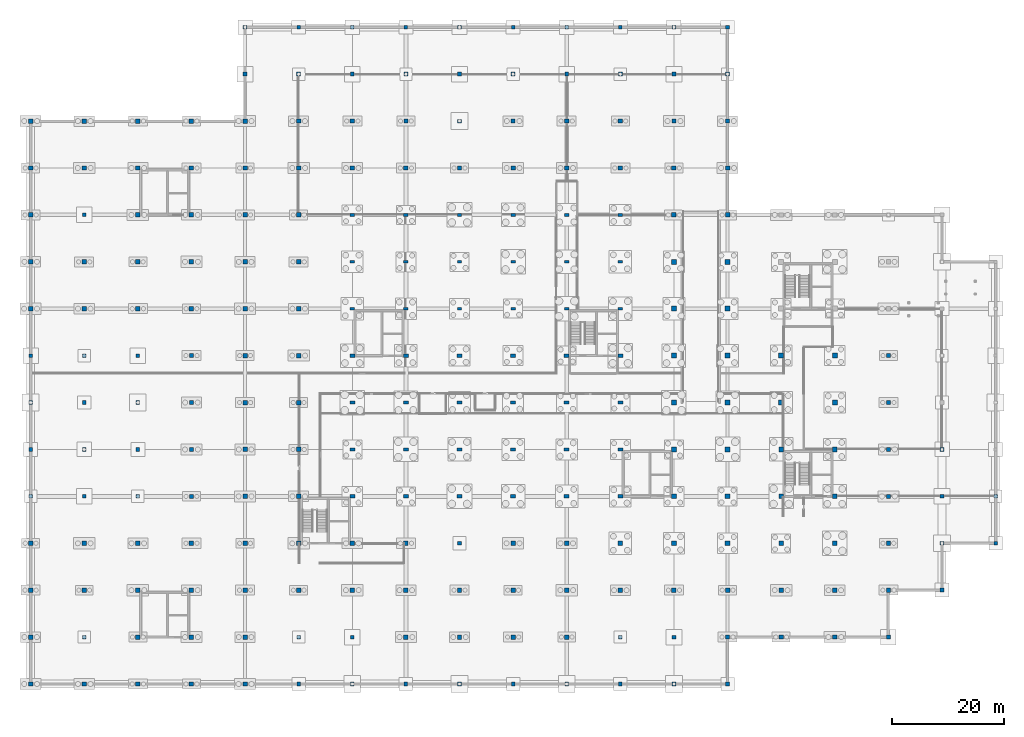
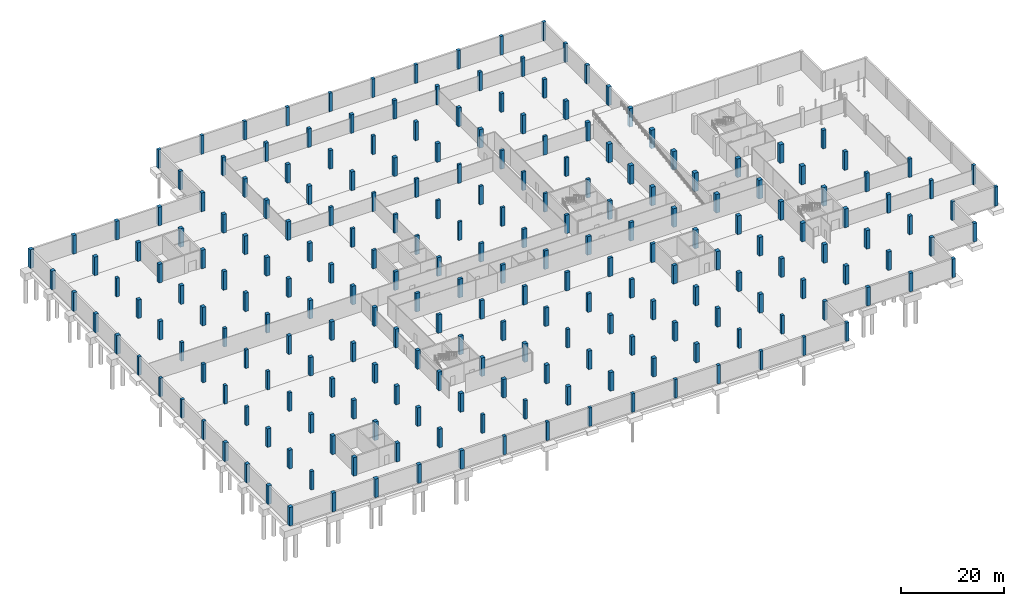
# One storey, part 11 of 26: 229 columns.
"""IFC4 building model written with IfcOpenShell, lengths in metres."""

import ifcopenshell
import ifcopenshell.guid

model = None  # the IFC model being written
_history = None  # IfcOwnerHistory: only IFC2X3 demands one
_inside = {}  # id of a spatial element -> (the spatial element, [elements in it])
_under = {}  # id of a project, library or spatial element -> (it, [spatial elements below it])
_declared = {}  # id of a project -> (the project, [libraries it declares])
_typed = {}  # id of a type object -> (the type object, [elements of that type])
_made_of = {}  # id of a material, layer set ... -> (it, [elements and type objects made of it])


def new_model(schema):
    """Start an empty IFC model of exactly this schema.

    Asked for "IFC4X3", IfcOpenShell would pick the latest addendum, in which some entities
    have other attributes; the version numbers below select the first issue.
    IFC2X3 requires an IfcOwnerHistory on every rooted entity: one is made here for all.
    """
    global model, _history
    if schema == "IFC4X3":
        model = ifcopenshell.file(schema_version=(4, 3, 0, 0))
    else:
        model = ifcopenshell.file(schema=schema)
    _inside.clear()
    _under.clear()
    _declared.clear()
    _typed.clear()
    _made_of.clear()
    _history = None
    if model.schema == "IFC2X3":
        org = make("IfcOrganization", Name="unknown")
        user = make(
            "IfcPersonAndOrganization",
            ThePerson=make("IfcPerson", FamilyName="unknown"),
            TheOrganization=org,
        )
        app = make(
            "IfcApplication",
            ApplicationDeveloper=org,
            Version="unknown",
            ApplicationFullName="unknown",
            ApplicationIdentifier="unknown",
        )
        _history = make(
            "IfcOwnerHistory",
            OwningUser=user,
            OwningApplication=app,
            ChangeAction="ADDED",
            CreationDate=0,
        )
    return model


def make(cls, **values):
    """One entity of the class cls with the attributes given. An attribute that is None is left unset."""
    return model.create_entity(
        cls, **{name: value for name, value in values.items() if value is not None}
    )


def rooted(cls, **values):
    """An entity with a GlobalId (a new one), such as an element, a storey or a relation."""
    return make(cls, GlobalId=ifcopenshell.guid.new(), OwnerHistory=_history, **values)


def si_unit(unit_type, name, prefix=None):
    """IfcSIUnit, for example si_unit("LENGTHUNIT", "METRE", prefix="MILLI")."""
    return make("IfcSIUnit", UnitType=unit_type, Prefix=prefix, Name=name)


def assignment(units):
    """IfcUnitAssignment: the units of a project."""
    return None if units is None else make("IfcUnitAssignment", Units=units)


def point(xyz):
    """IfcCartesianPoint."""
    return None if xyz is None else make("IfcCartesianPoint", Coordinates=xyz)


def direction(xyz):
    """IfcDirection."""
    return None if xyz is None else make("IfcDirection", DirectionRatios=xyz)


def frame(location, z_axis=None, x_axis=None):
    """IfcAxis2Placement3D, a coordinate frame: its origin and axes. An axis left out is left unset."""
    return make(
        "IfcAxis2Placement3D",
        Location=point(location),
        Axis=direction(z_axis),
        RefDirection=direction(x_axis),
    )


def frame_2d(location, x_axis=None):
    """IfcAxis2Placement2D, a coordinate frame in the plane: its origin and x axis."""
    return make(
        "IfcAxis2Placement2D", Location=point(location), RefDirection=direction(x_axis)
    )


def origin():
    """The frame at (0, 0, 0) with its axes left unset."""
    return frame((0.0, 0.0, 0.0))


def origin_2d():
    """The frame at (0, 0) in the plane with its x axis left unset."""
    return frame_2d((0.0, 0.0))


def place(relative_to, where):
    """IfcLocalPlacement: puts the frame where relative to a parent placement (None: the world)."""
    return make(
        "IfcLocalPlacement", PlacementRelTo=relative_to, RelativePlacement=where
    )


def context(
    kind, dimensions, precision=None, world=None, true_north=None, identifier=None
):
    """IfcGeometricRepresentationContext, for example the 3D "Model" context."""
    return make(
        "IfcGeometricRepresentationContext",
        ContextIdentifier=identifier,
        ContextType=kind,
        CoordinateSpaceDimension=dimensions,
        Precision=precision,
        WorldCoordinateSystem=world,
        TrueNorth=true_north,
    )


def subcontext(parent, identifier, kind, view, scale=None):
    """IfcGeometricRepresentationSubContext, for example "Body" below "Model"."""
    return make(
        "IfcGeometricRepresentationSubContext",
        ContextIdentifier=identifier,
        ContextType=kind,
        ParentContext=parent,
        TargetScale=scale,
        TargetView=view,
    )


def project(units=None, contexts=None):
    """IfcProject with its units and contexts."""
    return rooted(
        "IfcProject",
        Name="project",
        RepresentationContexts=contexts,
        UnitsInContext=assignment(units),
    )


def spatial(cls, under=None, at=None, **own):
    """A site, building, storey or space (cls), placed at a placement, below another one or the project."""
    s = rooted(cls, ObjectPlacement=at, **own)
    if under is not None:
        _under.setdefault(under.id(), (under, []))[1].append(s)
    return s


def profile(cls, at=None, kind="AREA", **sizes):
    """A parametric profile (cls). Its sizes go by their IFC names, for example OverallWidth=200.0."""
    return make(cls, ProfileType=kind, Position=at, **sizes)


def rectangle(**sizes):
    """IfcRectangleProfileDef."""
    return profile("IfcRectangleProfileDef", **sizes)


def extrude(swept, where, along, depth):
    """IfcExtrudedAreaSolid: the profile swept, set in the frame where, extruded along a direction by depth."""
    return make(
        "IfcExtrudedAreaSolid",
        SweptArea=swept,
        Position=where,
        ExtrudedDirection=direction(along),
        Depth=depth,
    )


def shape(context_of_items, identifier, shape_type, items):
    """IfcShapeRepresentation: the items that make up one representation, for example the "Body"."""
    return make(
        "IfcShapeRepresentation",
        ContextOfItems=context_of_items,
        RepresentationIdentifier=identifier,
        RepresentationType=shape_type,
        Items=items,
    )


def material(Name=None, Category=None):
    """IfcMaterial."""
    return make("IfcMaterial", Name=Name, Category=Category)


def material_profile(
    of_material, cross_section, Name=None, Category=None, Priority=None
):
    """IfcMaterialProfile: a cross section and its material."""
    return make(
        "IfcMaterialProfile",
        Name=Name,
        Material=of_material,
        Profile=cross_section,
        Priority=Priority,
        Category=Category,
    )


def profile_set(profiles, Name=None, composite=None):
    """IfcMaterialProfileSet."""
    return make(
        "IfcMaterialProfileSet",
        Name=Name,
        MaterialProfiles=profiles,
        CompositeProfile=composite,
    )


def made_of(thing, what):
    """Note that an element or type object is made of a material, layer set ...; save() writes the relation."""
    if what is not None:
        _made_of.setdefault(what.id(), (what, []))[1].append(thing)
    return thing


def type_object(cls, material=None, **own):
    """A type object (cls), such as IfcWallType, which elements share."""
    return made_of(rooted(cls, **own), material)


def element(
    cls,
    number,
    at=None,
    inside=None,
    cuts=None,
    type_object=None,
    material=None,
    context=None,
    identifier="Body",
    shape_type=None,
    held_by="IfcProductDefinitionShape",
    body=None,
    shapes=None,
    **own,
):
    """One element of the class cls, such as IfcWall. Its Tag is "e" and its number.

    at: its placement. inside: the storey or other place that contains it. cuts: it is an
    opening in that element (IfcRelVoidsElement). A single representation is given by context,
    identifier, shape_type and body (its items); several are given by shapes. held_by: the class
    of the entity that holds the representations. save() writes the other relations.
    """
    e = rooted(cls, Tag="e%d" % number, ObjectPlacement=at, **own)
    if body is not None:
        shapes = [shape(context, identifier, shape_type, body)]
    if shapes is not None:
        e.Representation = make(held_by, Representations=shapes)
    if inside is not None:
        _inside.setdefault(inside.id(), (inside, []))[1].append(e)
    if cuts is not None:
        rooted(
            "IfcRelVoidsElement", RelatingBuildingElement=cuts, RelatedOpeningElement=e
        )
    if type_object is not None:
        _typed.setdefault(type_object.id(), (type_object, []))[1].append(e)
    return made_of(e, material)


def aggregate(whole, parts):
    """IfcRelAggregates: a whole, such as a stair, and the parts it consists of."""
    return rooted("IfcRelAggregates", RelatingObject=whole, RelatedObjects=parts)


def save(model, path):
    """Write the relations noted so far, then the file.

    IfcRelAggregates (storeys below a building ...), IfcRelContainedInSpatialStructure (elements
    in a storey), IfcRelDefinesByType, IfcRelAssociatesMaterial and IfcRelDeclares: one each for
    every whole, place, type object, material and project.
    """
    for whole, parts in _under.values():
        aggregate(whole, parts)
    for where, things in _inside.values():
        rooted(
            "IfcRelContainedInSpatialStructure",
            RelatedElements=things,
            RelatingStructure=where,
        )
    for kind, things in _typed.values():
        rooted("IfcRelDefinesByType", RelatedObjects=things, RelatingType=kind)
    for what, things in _made_of.values():
        rooted("IfcRelAssociatesMaterial", RelatedObjects=things, RelatingMaterial=what)
    for by, libraries in _declared.values():
        rooted("IfcRelDeclares", RelatingContext=by, RelatedDefinitions=libraries)
    model.write(path)


model = new_model("IFC4")

# Units and contexts
model_context = context("Model", 3, precision=1e-05, world=origin(), true_north=direction((0.0, 1.0)))
body_context = subcontext(model_context, "Body", "Model", "MODEL_VIEW")
ifc_project = project(units=[si_unit("LENGTHUNIT", "METRE"), si_unit("AREAUNIT", "SQUARE_METRE"), si_unit("VOLUMEUNIT", "CUBIC_METRE"), si_unit("PLANEANGLEUNIT", "RADIAN"), si_unit("MASSUNIT", "GRAM", prefix="KILO")], contexts=[model_context])

# Site, building, storey
site_placement = place(None, origin())
site = spatial("IfcSite", under=ifc_project, at=site_placement, CompositionType="ELEMENT")
building_placement = place(site_placement, origin())
building = spatial("IfcBuilding", under=site, at=building_placement, Name="Lornevale Opera House", CompositionType="ELEMENT")
storey_placement = place(building_placement, frame((0.0, 0.0, -9.60009765625)))
storey = spatial("IfcBuildingStorey", under=building, at=storey_placement, Name="B2", CompositionType="ELEMENT", Elevation=-9.60009765625)

# Columns
ifc_material = material(Name="Concrete 40 MPa (CSA A23.1 C-1)", Category="concrete")
ifc_material_profile_1 = material_profile(ifc_material, rectangle(XDim=0.89990234375, YDim=0.60009765625, at=origin_2d()), Name="RC900x600")
ifc_profile_set_1 = profile_set([ifc_material_profile_1], Name="Concrete 40 MPa (CSA A23.1 C-1)")
column_type_1 = type_object("IfcColumnType", Name="Auditorium Drum Pier 900x600", PredefinedType="COLUMN", material=ifc_profile_set_1)
for number, where, z_axis, x_axis, name in (
    (1, (57.60009765625, 33.60009765625, 0.0), (0.0, 0.0, 1.0), (1.0, 0.0, 0.0), "Auditorium Drum Pier 900x600 0362"),
    (2, (57.60009765625, 42.0, 0.0), (0.0, 0.0, 1.0), (1.0, 0.0, 0.0), "Auditorium Drum Pier 900x600 0367"),
    (3, (57.60009765625, 50.39990234375, 0.0), (0.0, 0.0, 1.0), (1.0, 0.0, 0.0), "Auditorium Drum Pier 900x600 0372"),
    (4, (57.60009765625, 58.800048828125, 0.0), (0.0, 0.0, 1.0), (1.0, 0.0, 0.0), "Auditorium Drum Pier 900x600 0379"),
    (5, (67.199951171875, 33.60009765625, 0.0), (0.0, 0.0, 1.0), (1.0, 0.0, 0.0), "Auditorium Drum Pier 900x600 0432"),
    (6, (67.199951171875, 42.0, 0.0), (0.0, 0.0, 1.0), (1.0, 0.0, 0.0), "Auditorium Drum Pier 900x600 0438"),
    (7, (67.199951171875, 50.39990234375, 0.0), (0.0, 0.0, 1.0), (1.0, 0.0, 0.0), "Auditorium Drum Pier 900x600 0444"),
    (8, (67.199951171875, 58.800048828125, 0.0), (0.0, 0.0, 1.0), (1.0, 0.0, 0.0), "Auditorium Drum Pier 900x600 0451"),
    (9, (76.800048828125, 33.60009765625, 0.0), (0.0, 0.0, 1.0), (1.0, 0.0, 0.0), "Auditorium Drum Pier 900x600 0511"),
    (10, (76.800048828125, 42.0, 0.0), (0.0, 0.0, 1.0), (1.0, 0.0, 0.0), "Auditorium Drum Pier 900x600 0517"),
    (11, (76.800048828125, 50.39990234375, 0.0), (0.0, 0.0, 1.0), (1.0, 0.0, 0.0), "Auditorium Drum Pier 900x600 0523"),
    (12, (76.800048828125, 58.800048828125, 0.0), (0.0, 0.0, 1.0), (1.0, 0.0, 0.0), "Auditorium Drum Pier 900x600 0525"),
    (13, (86.39990234375, 33.60009765625, 0.0), (0.0, 0.0, 1.0), (1.0, 0.0, 0.0), "Auditorium Drum Pier 900x600 0561"),
    (14, (86.39990234375, 42.0, 0.0), (0.0, 0.0, 1.0), (1.0, 0.0, 0.0), "Auditorium Drum Pier 900x600 0567"),
    (15, (86.39990234375, 50.39990234375, 0.0), (0.0, 0.0, 1.0), (1.0, 0.0, 0.0), "Auditorium Drum Pier 900x600 0573"),
    (16, (86.39990234375, 58.800048828125, 0.0), (0.0, 0.0, 1.0), (1.0, 0.0, 0.0), "Auditorium Drum Pier 900x600 0575"),
    (17, (96.0, 33.60009765625, 0.0), (0.0, 0.0, 1.0), (1.0, 0.0, 0.0), "Auditorium Drum Pier 900x600 0613"),
    (18, (96.0, 42.0, 0.0), (0.0, 0.0, 1.0), (1.0, 0.0, 0.0), "Auditorium Drum Pier 900x600 0619"),
    (19, (96.0, 50.39990234375, 0.0), (0.0, 0.0, 1.0), (1.0, 0.0, 0.0), "Auditorium Drum Pier 900x600 0625"),
    (20, (96.0, 58.800048828125, 0.0), (0.0, 0.0, 1.0), (1.0, 0.0, 0.0), "Auditorium Drum Pier 900x600 0633"),
    (21, (105.60009765625, 33.60009765625, 0.0), (0.0, 0.0, 1.0), (1.0, 0.0, 0.0), "Auditorium Drum Pier 900x600 0694"),
    (22, (105.60009765625, 42.0, 0.0), (0.0, 0.0, 1.0), (1.0, 0.0, 0.0), "Auditorium Drum Pier 900x600 0700"),
    (23, (105.60009765625, 50.39990234375, 0.0), (0.0, 0.0, 1.0), (1.0, 0.0, 0.0), "Auditorium Drum Pier 900x600 0706"),
    (24, (105.60009765625, 58.800048828125, 0.0), (0.0, 0.0, 1.0), (1.0, 0.0, 0.0), "Auditorium Drum Pier 900x600 0714"),
):
    element("IfcColumn", number, at=place(storey_placement, frame(where, z_axis=z_axis, x_axis=x_axis)), inside=storey, type_object=column_type_1, Name=name, PredefinedType="COLUMN", context=body_context, shape_type="SweptSolid", body=[
        extrude(rectangle(XDim=0.89990234375, YDim=0.60009765625, at=origin_2d()), origin(), (0.0, 0.0, 1.0), 4.400146484375),
    ])
ifc_material_profile_2 = material_profile(ifc_material, rectangle(XDim=0.64990234375, YDim=0.64990234375, at=origin_2d()), Name="RC650x650")
ifc_profile_set_2 = profile_set([ifc_material_profile_2], Name="Concrete 40 MPa (CSA A23.1 C-1)")
column_type_2 = type_object("IfcColumnType", Name="Concrete Column 650x650", PredefinedType="COLUMN", material=ifc_profile_set_2)
for number, where, z_axis, x_axis, name in (
    (25, (0.0, 33.60009765625, 0.0), (0.0, 0.0, 1.0), (1.0, 0.0, 0.0), "Concrete Column 650x650 0021"),
    (26, (0.0, 42.0, 0.0), (0.0, 0.0, 1.0), (1.0, 0.0, 0.0), "Concrete Column 650x650 0023"),
    (27, (0.0, 50.39990234375, 0.0), (0.0, 0.0, 1.0), (1.0, 0.0, 0.0), "Concrete Column 650x650 0025"),
    (28, (0.0, 58.800048828125, 0.0), (0.0, 0.0, 1.0), (1.0, 0.0, 0.0), "Concrete Column 650x650 0027"),
    (29, (9.60009765625, 8.39990234375, 0.0), (0.0, 0.0, 1.0), (1.0, 0.0, 0.0), "Concrete Column 650x650 0059"),
    (30, (9.60009765625, 33.60009765625, 0.0), (0.0, 0.0, 1.0), (1.0, 0.0, 0.0), "Concrete Column 650x650 0071"),
    (31, (9.60009765625, 42.0, 0.0), (0.0, 0.0, 1.0), (1.0, 0.0, 0.0), "Concrete Column 650x650 0073"),
    (32, (9.60009765625, 50.39990234375, 0.0), (0.0, 0.0, 1.0), (1.0, 0.0, 0.0), "Concrete Column 650x650 0075"),
    (33, (9.60009765625, 58.800048828125, 0.0), (0.0, 0.0, 1.0), (1.0, 0.0, 0.0), "Concrete Column 650x650 0077"),
    (34, (9.60009765625, 84.0, 0.0), (0.0, 0.0, 1.0), (1.0, 0.0, 0.0), "Concrete Column 650x650 0089"),
    (35, (19.199951171875, 33.60009765625, 0.0), (0.0, 0.0, 1.0), (1.0, 0.0, 0.0), "Concrete Column 650x650 0121"),
    (36, (19.199951171875, 42.0, 0.0), (0.0, 0.0, 1.0), (1.0, 0.0, 0.0), "Concrete Column 650x650 0123"),
    (37, (19.199951171875, 50.39990234375, 0.0), (0.0, 0.0, 1.0), (1.0, 0.0, 0.0), "Concrete Column 650x650 0125"),
    (38, (19.199951171875, 58.800048828125, 0.0), (0.0, 0.0, 1.0), (1.0, 0.0, 0.0), "Concrete Column 650x650 0127"),
    (39, (38.39990234375, 117.60009765625, 0.0), (0.0, 0.0, 1.0), (1.0, 0.0, 0.0), "Concrete Column 650x650 0283"),
    (40, (48.0, 0.0, 0.0), (0.0, 0.0, 1.0), (1.0, 0.0, 0.0), "Concrete Column 650x650 0285"),
    (41, (48.0, 8.39990234375, 0.0), (0.0, 0.0, 1.0), (1.0, 0.0, 0.0), "Concrete Column 650x650 0287"),
    (42, (48.0, 117.60009765625, 0.0), (0.0, 0.0, 1.0), (1.0, 0.0, 0.0), "Concrete Column 650x650 0346"),
    (43, (57.60009765625, 0.0, 0.0), (0.0, 0.0, 1.0), (1.0, 0.0, 0.0), "Concrete Column 650x650 0348"),
    (44, (57.60009765625, 8.39990234375, 0.0), (0.0, 0.0, 1.0), (1.0, 0.0, 0.0), "Concrete Column 650x650 0350"),
    (45, (57.60009765625, 117.60009765625, 0.0), (0.0, 0.0, 1.0), (1.0, 0.0, 0.0), "Concrete Column 650x650 0413"),
    (46, (67.199951171875, 0.0, 0.0), (0.0, 0.0, 1.0), (1.0, 0.0, 0.0), "Concrete Column 650x650 0415"),
    (47, (67.199951171875, 117.60009765625, 0.0), (0.0, 0.0, 1.0), (1.0, 0.0, 0.0), "Concrete Column 650x650 0495"),
    (48, (76.800048828125, 0.0, 0.0), (0.0, 0.0, 1.0), (1.0, 0.0, 0.0), "Concrete Column 650x650 0497"),
    (49, (76.800048828125, 25.199951171875, 0.0), (0.0, 0.0, 1.0), (1.0, 0.0, 0.0), "Concrete Column 650x650 0509"),
    (50, (76.800048828125, 100.800048828125, 0.0), (0.0, 0.0, 1.0), (1.0, 0.0, 0.0), "Concrete Column 650x650 0537"),
    (51, (76.800048828125, 117.60009765625, 0.0), (0.0, 0.0, 1.0), (1.0, 0.0, 0.0), "Concrete Column 650x650 0542"),
    (52, (86.39990234375, 0.0, 0.0), (0.0, 0.0, 1.0), (1.0, 0.0, 0.0), "Concrete Column 650x650 0544"),
    (53, (86.39990234375, 117.60009765625, 0.0), (0.0, 0.0, 1.0), (1.0, 0.0, 0.0), "Concrete Column 650x650 0594"),
    (54, (96.0, 0.0, 0.0), (0.0, 0.0, 1.0), (1.0, 0.0, 0.0), "Concrete Column 650x650 0596"),
    (55, (96.0, 117.60009765625, 0.0), (0.0, 0.0, 1.0), (1.0, 0.0, 0.0), "Concrete Column 650x650 0677"),
    (56, (105.60009765625, 0.0, 0.0), (0.0, 0.0, 1.0), (1.0, 0.0, 0.0), "Concrete Column 650x650 0679"),
    (57, (105.60009765625, 8.39990234375, 0.0), (0.0, 0.0, 1.0), (1.0, 0.0, 0.0), "Concrete Column 650x650 0681"),
    (58, (105.60009765625, 117.60009765625, 0.0), (0.0, 0.0, 1.0), (1.0, 0.0, 0.0), "Concrete Column 650x650 0752"),
    (59, (115.199951171875, 0.0, 0.0), (0.0, 0.0, 1.0), (1.0, 0.0, 0.0), "Concrete Column 650x650 0754"),
    (60, (115.199951171875, 8.39990234375, 0.0), (0.0, 0.0, 1.0), (1.0, 0.0, 0.0), "Concrete Column 650x650 0756"),
    (61, (115.199951171875, 117.60009765625, 0.0), (0.0, 0.0, 1.0), (1.0, 0.0, 0.0), "Concrete Column 650x650 0830"),
    (62, (124.800048828125, 0.0, 0.0), (0.0, 0.0, 1.0), (1.0, 0.0, 0.0), "Concrete Column 650x650 0832"),
    (63, (124.800048828125, 117.60009765625, 0.0), (0.0, 0.0, 1.0), (1.0, 0.0, 0.0), "Concrete Column 650x650 0909"),
    (64, (163.199951171875, 33.60009765625, 0.0), (0.0, 0.0, 1.0), (1.0, 0.0, 0.0), "Concrete Column 650x650 1081"),
    (65, (163.199951171875, 42.0, 0.0), (0.0, 0.0, 1.0), (1.0, 0.0, 0.0), "Concrete Column 650x650 1083"),
):
    element("IfcColumn", number, at=place(storey_placement, frame(where, z_axis=z_axis, x_axis=x_axis)), inside=storey, type_object=column_type_2, Name=name, PredefinedType="COLUMN", context=body_context, shape_type="SweptSolid", body=[
        extrude(rectangle(XDim=0.64990234375, YDim=0.64990234375, at=origin_2d()), origin(), (0.0, 0.0, 1.0), 4.400146484375),
    ])
for number, where, z_axis, x_axis, name in (
    (66, (172.800048828125, 25.199951171875, 0.0), (0.0, 0.0, 1.0), (1.0, 0.0, 0.0), "Concrete Column 650x650 1095"),
    (67, (172.800048828125, 33.60009765625, 0.0), (0.0, 0.0, 1.0), (1.0, 0.0, 0.0), "Concrete Column 650x650 1097"),
):
    element("IfcColumn", number, at=place(storey_placement, frame(where, z_axis=z_axis, x_axis=x_axis)), inside=storey, type_object=column_type_2, Name=name, PredefinedType="COLUMN", context=body_context, shape_type="SweptSolid", body=[
        extrude(rectangle(XDim=0.64990234375, YDim=0.64990234375, at=origin_2d()), origin(), (0.0, 0.0, 1.0), 4.570068359375),
    ])
ifc_material_profile_3 = material_profile(ifc_material, rectangle(XDim=0.699951171875, YDim=0.699951171875, at=origin_2d()), Name="RC700x700")
ifc_profile_set_3 = profile_set([ifc_material_profile_3], Name="Concrete 40 MPa (CSA A23.1 C-1)")
column_type_3 = type_object("IfcColumnType", Name="Concrete Column 700x700", PredefinedType="COLUMN", material=ifc_profile_set_3)
for number, where, z_axis, x_axis, name in (
    (68, (38.39990234375, 109.199951171875, 0.0), (0.0, 0.0, 1.0), (1.0, 0.0, 0.0), "Concrete Column 700x700 0280"),
    (69, (48.0, 109.199951171875, 0.0), (0.0, 0.0, 1.0), (1.0, 0.0, 0.0), "Concrete Column 700x700 0343"),
    (70, (57.60009765625, 109.199951171875, 0.0), (0.0, 0.0, 1.0), (1.0, 0.0, 0.0), "Concrete Column 700x700 0410"),
    (71, (67.199951171875, 109.199951171875, 0.0), (0.0, 0.0, 1.0), (1.0, 0.0, 0.0), "Concrete Column 700x700 0492"),
    (72, (76.800048828125, 109.199951171875, 0.0), (0.0, 0.0, 1.0), (1.0, 0.0, 0.0), "Concrete Column 700x700 0539"),
    (73, (86.39990234375, 109.199951171875, 0.0), (0.0, 0.0, 1.0), (1.0, 0.0, 0.0), "Concrete Column 700x700 0591"),
    (74, (96.0, 109.199951171875, 0.0), (0.0, 0.0, 1.0), (1.0, 0.0, 0.0), "Concrete Column 700x700 0674"),
    (75, (105.60009765625, 109.199951171875, 0.0), (0.0, 0.0, 1.0), (1.0, 0.0, 0.0), "Concrete Column 700x700 0749"),
    (76, (115.199951171875, 109.199951171875, 0.0), (0.0, 0.0, 1.0), (1.0, 0.0, 0.0), "Concrete Column 700x700 0827"),
    (77, (124.800048828125, 109.199951171875, 0.0), (0.0, 0.0, 1.0), (1.0, 0.0, 0.0), "Concrete Column 700x700 0906"),
    (78, (153.60009765625, 8.39990234375, 0.0), (0.0, 0.0, 1.0), (1.0, 0.0, 0.0), "Concrete Column 700x700 1037"),
    (79, (163.199951171875, 16.800048828125, 0.0), (0.0, 0.0, 1.0), (1.0, 0.0, 0.0), "Concrete Column 700x700 1075"),
    (80, (163.199951171875, 25.199951171875, 0.0), (0.0, 0.0, 1.0), (1.0, 0.0, 0.0), "Concrete Column 700x700 1078"),
):
    element("IfcColumn", number, at=place(storey_placement, frame(where, z_axis=z_axis, x_axis=x_axis)), inside=storey, type_object=column_type_3, Name=name, PredefinedType="COLUMN", context=body_context, shape_type="SweptSolid", body=[
        extrude(rectangle(XDim=0.699951171875, YDim=0.699951171875, at=origin_2d()), origin(), (0.0, 0.0, 1.0), 4.400146484375),
    ])
ifc_material_profile_4 = material_profile(ifc_material, rectangle(XDim=0.75, YDim=0.75, at=origin_2d()), Name="RC750x750")
ifc_profile_set_4 = profile_set([ifc_material_profile_4], Name="Concrete 40 MPa (CSA A23.1 C-1)")
column_type_4 = type_object("IfcColumnType", Name="Concrete Column 750x750", PredefinedType="COLUMN", material=ifc_profile_set_4)
for number, where, z_axis, x_axis, name in (
    (81, (28.800048828125, 33.60009765625, 0.0), (0.0, 0.0, 1.0), (1.0, 0.0, 0.0), "Concrete Column 750x750 0174"),
    (82, (28.800048828125, 42.0, 0.0), (0.0, 0.0, 1.0), (1.0, 0.0, 0.0), "Concrete Column 750x750 0178"),
    (83, (28.800048828125, 50.39990234375, 0.0), (0.0, 0.0, 1.0), (1.0, 0.0, 0.0), "Concrete Column 750x750 0182"),
    (84, (28.800048828125, 58.800048828125, 0.0), (0.0, 0.0, 1.0), (1.0, 0.0, 0.0), "Concrete Column 750x750 0186"),
    (85, (48.0, 100.800048828125, 0.0), (0.0, 0.0, 1.0), (1.0, 0.0, 0.0), "Concrete Column 750x750 0339"),
    (86, (57.60009765625, 100.800048828125, 0.0), (0.0, 0.0, 1.0), (1.0, 0.0, 0.0), "Concrete Column 750x750 0406"),
    (87, (67.199951171875, 100.800048828125, 0.0), (0.0, 0.0, 1.0), (1.0, 0.0, 0.0), "Concrete Column 750x750 0488"),
    (88, (86.39990234375, 100.800048828125, 0.0), (0.0, 0.0, 1.0), (1.0, 0.0, 0.0), "Concrete Column 750x750 0587"),
    (89, (96.0, 100.800048828125, 0.0), (0.0, 0.0, 1.0), (1.0, 0.0, 0.0), "Concrete Column 750x750 0670"),
    (90, (105.60009765625, 100.800048828125, 0.0), (0.0, 0.0, 1.0), (1.0, 0.0, 0.0), "Concrete Column 750x750 0745"),
    (91, (115.199951171875, 100.800048828125, 0.0), (0.0, 0.0, 1.0), (1.0, 0.0, 0.0), "Concrete Column 750x750 0823"),
    (92, (124.800048828125, 8.39990234375, 0.0), (0.0, 0.0, 1.0), (1.0, 0.0, 0.0), "Concrete Column 750x750 0834"),
    (93, (124.800048828125, 100.800048828125, 0.0), (0.0, 0.0, 1.0), (1.0, 0.0, 0.0), "Concrete Column 750x750 0902"),
    (94, (134.39990234375, 8.39990234375, 0.0), (0.0, 0.0, 1.0), (1.0, 0.0, 0.0), "Concrete Column 750x750 0911"),
    (95, (144.0, 8.39990234375, 0.0), (0.0, 0.0, 1.0), (1.0, 0.0, 0.0), "Concrete Column 750x750 0974"),
    (96, (153.60009765625, 16.800048828125, 0.0), (0.0, 0.0, 1.0), (1.0, 0.0, 0.0), "Concrete Column 750x750 1040"),
    (97, (153.60009765625, 25.199951171875, 0.0), (0.0, 0.0, 1.0), (1.0, 0.0, 0.0), "Concrete Column 750x750 1044"),
    (98, (153.60009765625, 33.60009765625, 0.0), (0.0, 0.0, 1.0), (1.0, 0.0, 0.0), "Concrete Column 750x750 1048"),
    (99, (153.60009765625, 42.0, 0.0), (0.0, 0.0, 1.0), (1.0, 0.0, 0.0), "Concrete Column 750x750 1052"),
    (100, (153.60009765625, 50.39990234375, 0.0), (0.0, 0.0, 1.0), (1.0, 0.0, 0.0), "Concrete Column 750x750 1056"),
    (101, (153.60009765625, 58.800048828125, 0.0), (0.0, 0.0, 1.0), (1.0, 0.0, 0.0), "Concrete Column 750x750 1060"),
):
    element("IfcColumn", number, at=place(storey_placement, frame(where, z_axis=z_axis, x_axis=x_axis)), inside=storey, type_object=column_type_4, Name=name, PredefinedType="COLUMN", context=body_context, shape_type="SweptSolid", body=[
        extrude(rectangle(XDim=0.75, YDim=0.75, at=origin_2d()), origin(), (0.0, 0.0, 1.0), 4.400146484375),
    ])
ifc_material_profile_5 = material_profile(ifc_material, rectangle(XDim=0.800048828125, YDim=0.800048828125, at=origin_2d()), Name="RC800x800")
ifc_profile_set_5 = profile_set([ifc_material_profile_5], Name="Concrete 40 MPa (CSA A23.1 C-1)")
column_type_5 = type_object("IfcColumnType", Name="Concrete Column 800x800", PredefinedType="COLUMN", material=ifc_profile_set_5)
for number, where, z_axis, x_axis, name in (
    (102, (0.0, 0.0, 0.0), (0.0, 0.0, 1.0), (1.0, 0.0, 0.0), "Concrete Column 800x800 0001"),
    (103, (0.0, 8.39990234375, 0.0), (0.0, 0.0, 1.0), (1.0, 0.0, 0.0), "Concrete Column 800x800 0006"),
    (104, (0.0, 16.800048828125, 0.0), (0.0, 0.0, 1.0), (1.0, 0.0, 0.0), "Concrete Column 800x800 0011"),
    (105, (0.0, 25.199951171875, 0.0), (0.0, 0.0, 1.0), (1.0, 0.0, 0.0), "Concrete Column 800x800 0016"),
    (106, (0.0, 67.199951171875, 0.0), (0.0, 0.0, 1.0), (1.0, 0.0, 0.0), "Concrete Column 800x800 0029"),
    (107, (0.0, 75.60009765625, 0.0), (0.0, 0.0, 1.0), (1.0, 0.0, 0.0), "Concrete Column 800x800 0034"),
    (108, (0.0, 84.0, 0.0), (0.0, 0.0, 1.0), (1.0, 0.0, 0.0), "Concrete Column 800x800 0039"),
    (109, (0.0, 92.39990234375, 0.0), (0.0, 0.0, 1.0), (1.0, 0.0, 0.0), "Concrete Column 800x800 0044"),
    (110, (0.0, 100.800048828125, 0.0), (0.0, 0.0, 1.0), (1.0, 0.0, 0.0), "Concrete Column 800x800 0049"),
    (111, (9.60009765625, 0.0, 0.0), (0.0, 0.0, 1.0), (1.0, 0.0, 0.0), "Concrete Column 800x800 0054"),
    (112, (9.60009765625, 16.800048828125, 0.0), (0.0, 0.0, 1.0), (1.0, 0.0, 0.0), "Concrete Column 800x800 0061"),
    (113, (9.60009765625, 25.199951171875, 0.0), (0.0, 0.0, 1.0), (1.0, 0.0, 0.0), "Concrete Column 800x800 0066"),
    (114, (9.60009765625, 67.199951171875, 0.0), (0.0, 0.0, 1.0), (1.0, 0.0, 0.0), "Concrete Column 800x800 0079"),
    (115, (9.60009765625, 75.60009765625, 0.0), (0.0, 0.0, 1.0), (1.0, 0.0, 0.0), "Concrete Column 800x800 0084"),
    (116, (9.60009765625, 92.39990234375, 0.0), (0.0, 0.0, 1.0), (1.0, 0.0, 0.0), "Concrete Column 800x800 0091"),
    (117, (9.60009765625, 100.800048828125, 0.0), (0.0, 0.0, 1.0), (1.0, 0.0, 0.0), "Concrete Column 800x800 0096"),
    (118, (19.199951171875, 0.0, 0.0), (0.0, 0.0, 1.0), (1.0, 0.0, 0.0), "Concrete Column 800x800 0101"),
    (119, (19.199951171875, 8.39990234375, 0.0), (0.0, 0.0, 1.0), (1.0, 0.0, 0.0), "Concrete Column 800x800 0106"),
    (120, (19.199951171875, 16.800048828125, 0.0), (0.0, 0.0, 1.0), (1.0, 0.0, 0.0), "Concrete Column 800x800 0111"),
    (121, (19.199951171875, 25.199951171875, 0.0), (0.0, 0.0, 1.0), (1.0, 0.0, 0.0), "Concrete Column 800x800 0116"),
    (122, (19.199951171875, 67.199951171875, 0.0), (0.0, 0.0, 1.0), (1.0, 0.0, 0.0), "Concrete Column 800x800 0129"),
    (123, (19.199951171875, 75.60009765625, 0.0), (0.0, 0.0, 1.0), (1.0, 0.0, 0.0), "Concrete Column 800x800 0134"),
    (124, (19.199951171875, 84.0, 0.0), (0.0, 0.0, 1.0), (1.0, 0.0, 0.0), "Concrete Column 800x800 0139"),
    (125, (19.199951171875, 92.39990234375, 0.0), (0.0, 0.0, 1.0), (1.0, 0.0, 0.0), "Concrete Column 800x800 0144"),
    (126, (19.199951171875, 100.800048828125, 0.0), (0.0, 0.0, 1.0), (1.0, 0.0, 0.0), "Concrete Column 800x800 0149"),
    (127, (28.800048828125, 0.0, 0.0), (0.0, 0.0, 1.0), (1.0, 0.0, 0.0), "Concrete Column 800x800 0154"),
    (128, (28.800048828125, 8.39990234375, 0.0), (0.0, 0.0, 1.0), (1.0, 0.0, 0.0), "Concrete Column 800x800 0159"),
    (129, (28.800048828125, 16.800048828125, 0.0), (0.0, 0.0, 1.0), (1.0, 0.0, 0.0), "Concrete Column 800x800 0164"),
    (130, (28.800048828125, 25.199951171875, 0.0), (0.0, 0.0, 1.0), (1.0, 0.0, 0.0), "Concrete Column 800x800 0169"),
    (131, (28.800048828125, 67.199951171875, 0.0), (0.0, 0.0, 1.0), (1.0, 0.0, 0.0), "Concrete Column 800x800 0190"),
    (132, (28.800048828125, 75.60009765625, 0.0), (0.0, 0.0, 1.0), (1.0, 0.0, 0.0), "Concrete Column 800x800 0195"),
    (133, (28.800048828125, 84.0, 0.0), (0.0, 0.0, 1.0), (1.0, 0.0, 0.0), "Concrete Column 800x800 0200"),
    (134, (28.800048828125, 92.39990234375, 0.0), (0.0, 0.0, 1.0), (1.0, 0.0, 0.0), "Concrete Column 800x800 0205"),
    (135, (28.800048828125, 100.800048828125, 0.0), (0.0, 0.0, 1.0), (1.0, 0.0, 0.0), "Concrete Column 800x800 0210"),
    (136, (38.39990234375, 0.0, 0.0), (0.0, 0.0, 1.0), (1.0, 0.0, 0.0), "Concrete Column 800x800 0215"),
    (137, (38.39990234375, 8.39990234375, 0.0), (0.0, 0.0, 1.0), (1.0, 0.0, 0.0), "Concrete Column 800x800 0220"),
    (138, (38.39990234375, 16.800048828125, 0.0), (0.0, 0.0, 1.0), (1.0, 0.0, 0.0), "Concrete Column 800x800 0225"),
    (139, (38.39990234375, 25.199951171875, 0.0), (0.0, 0.0, 1.0), (1.0, 0.0, 0.0), "Concrete Column 800x800 0230"),
    (140, (38.39990234375, 33.60009765625, 0.0), (0.0, 0.0, 1.0), (1.0, 0.0, 0.0), "Concrete Column 800x800 0235"),
    (141, (38.39990234375, 42.0, 0.0), (0.0, 0.0, 1.0), (1.0, 0.0, 0.0), "Concrete Column 800x800 0240"),
    (142, (38.39990234375, 50.39990234375, 0.0), (0.0, 0.0, 1.0), (1.0, 0.0, 0.0), "Concrete Column 800x800 0245"),
    (143, (38.39990234375, 58.800048828125, 0.0), (0.0, 0.0, 1.0), (1.0, 0.0, 0.0), "Concrete Column 800x800 0250"),
    (144, (38.39990234375, 67.199951171875, 0.0), (0.0, 0.0, 1.0), (1.0, 0.0, 0.0), "Concrete Column 800x800 0255"),
    (145, (38.39990234375, 75.60009765625, 0.0), (0.0, 0.0, 1.0), (1.0, 0.0, 0.0), "Concrete Column 800x800 0260"),
    (146, (38.39990234375, 84.0, 0.0), (0.0, 0.0, 1.0), (1.0, 0.0, 0.0), "Concrete Column 800x800 0265"),
    (147, (38.39990234375, 92.39990234375, 0.0), (0.0, 0.0, 1.0), (1.0, 0.0, 0.0), "Concrete Column 800x800 0270"),
    (148, (38.39990234375, 100.800048828125, 0.0), (0.0, 0.0, 1.0), (1.0, 0.0, 0.0), "Concrete Column 800x800 0275"),
    (149, (48.0, 16.800048828125, 0.0), (0.0, 0.0, 1.0), (1.0, 0.0, 0.0), "Concrete Column 800x800 0289"),
    (150, (48.0, 25.199951171875, 0.0), (0.0, 0.0, 1.0), (1.0, 0.0, 0.0), "Concrete Column 800x800 0294"),
    (151, (48.0, 33.60009765625, 0.0), (0.0, 0.0, 1.0), (1.0, 0.0, 0.0), "Concrete Column 800x800 0299"),
    (152, (48.0, 42.0, 0.0), (0.0, 0.0, 1.0), (1.0, 0.0, 0.0), "Concrete Column 800x800 0304"),
    (153, (48.0, 50.39990234375, 0.0), (0.0, 0.0, 1.0), (1.0, 0.0, 0.0), "Concrete Column 800x800 0309"),
    (154, (48.0, 58.800048828125, 0.0), (0.0, 0.0, 1.0), (1.0, 0.0, 0.0), "Concrete Column 800x800 0314"),
    (155, (48.0, 67.199951171875, 0.0), (0.0, 0.0, 1.0), (1.0, 0.0, 0.0), "Concrete Column 800x800 0319"),
    (156, (48.0, 75.60009765625, 0.0), (0.0, 0.0, 1.0), (1.0, 0.0, 0.0), "Concrete Column 800x800 0324"),
    (157, (48.0, 84.0, 0.0), (0.0, 0.0, 1.0), (1.0, 0.0, 0.0), "Concrete Column 800x800 0329"),
    (158, (48.0, 92.39990234375, 0.0), (0.0, 0.0, 1.0), (1.0, 0.0, 0.0), "Concrete Column 800x800 0334"),
    (159, (57.60009765625, 16.800048828125, 0.0), (0.0, 0.0, 1.0), (1.0, 0.0, 0.0), "Concrete Column 800x800 0352"),
    (160, (57.60009765625, 25.199951171875, 0.0), (0.0, 0.0, 1.0), (1.0, 0.0, 0.0), "Concrete Column 800x800 0357"),
    (161, (57.60009765625, 92.39990234375, 0.0), (0.0, 0.0, 1.0), (1.0, 0.0, 0.0), "Concrete Column 800x800 0401"),
    (162, (67.199951171875, 8.39990234375, 0.0), (0.0, 0.0, 1.0), (1.0, 0.0, 0.0), "Concrete Column 800x800 0417"),
    (163, (67.199951171875, 16.800048828125, 0.0), (0.0, 0.0, 1.0), (1.0, 0.0, 0.0), "Concrete Column 800x800 0422"),
    (164, (67.199951171875, 25.199951171875, 0.0), (0.0, 0.0, 1.0), (1.0, 0.0, 0.0), "Concrete Column 800x800 0427"),
    (165, (67.199951171875, 92.39990234375, 0.0), (0.0, 0.0, 1.0), (1.0, 0.0, 0.0), "Concrete Column 800x800 0483"),
    (166, (76.800048828125, 8.39990234375, 0.0), (0.0, 0.0, 1.0), (1.0, 0.0, 0.0), "Concrete Column 800x800 0499"),
    (167, (76.800048828125, 16.800048828125, 0.0), (0.0, 0.0, 1.0), (1.0, 0.0, 0.0), "Concrete Column 800x800 0504"),
    (168, (76.800048828125, 92.39990234375, 0.0), (0.0, 0.0, 1.0), (1.0, 0.0, 0.0), "Concrete Column 800x800 0532"),
    (169, (86.39990234375, 8.39990234375, 0.0), (0.0, 0.0, 1.0), (1.0, 0.0, 0.0), "Concrete Column 800x800 0546"),
    (170, (86.39990234375, 16.800048828125, 0.0), (0.0, 0.0, 1.0), (1.0, 0.0, 0.0), "Concrete Column 800x800 0551"),
    (171, (86.39990234375, 25.199951171875, 0.0), (0.0, 0.0, 1.0), (1.0, 0.0, 0.0), "Concrete Column 800x800 0556"),
    (172, (86.39990234375, 92.39990234375, 0.0), (0.0, 0.0, 1.0), (1.0, 0.0, 0.0), "Concrete Column 800x800 0582"),
    (173, (96.0, 8.39990234375, 0.0), (0.0, 0.0, 1.0), (1.0, 0.0, 0.0), "Concrete Column 800x800 0598"),
    (174, (96.0, 16.800048828125, 0.0), (0.0, 0.0, 1.0), (1.0, 0.0, 0.0), "Concrete Column 800x800 0603"),
    (175, (96.0, 25.199951171875, 0.0), (0.0, 0.0, 1.0), (1.0, 0.0, 0.0), "Concrete Column 800x800 0608"),
    (176, (96.0, 92.39990234375, 0.0), (0.0, 0.0, 1.0), (1.0, 0.0, 0.0), "Concrete Column 800x800 0665"),
    (177, (105.60009765625, 16.800048828125, 0.0), (0.0, 0.0, 1.0), (1.0, 0.0, 0.0), "Concrete Column 800x800 0683"),
    (178, (105.60009765625, 92.39990234375, 0.0), (0.0, 0.0, 1.0), (1.0, 0.0, 0.0), "Concrete Column 800x800 0740"),
    (179, (115.199951171875, 16.800048828125, 0.0), (0.0, 0.0, 1.0), (1.0, 0.0, 0.0), "Concrete Column 800x800 0758"),
    (180, (115.199951171875, 84.0, 0.0), (0.0, 0.0, 1.0), (1.0, 0.0, 0.0), "Concrete Column 800x800 0813"),
    (181, (115.199951171875, 92.39990234375, 0.0), (0.0, 0.0, 1.0), (1.0, 0.0, 0.0), "Concrete Column 800x800 0818"),
    (182, (124.800048828125, 16.800048828125, 0.0), (0.0, 0.0, 1.0), (1.0, 0.0, 0.0), "Concrete Column 800x800 0838"),
    (183, (124.800048828125, 84.0, 0.0), (0.0, 0.0, 1.0), (1.0, 0.0, 0.0), "Concrete Column 800x800 0892"),
    (184, (124.800048828125, 92.39990234375, 0.0), (0.0, 0.0, 1.0), (1.0, 0.0, 0.0), "Concrete Column 800x800 0897"),
    (185, (134.39990234375, 16.800048828125, 0.0), (0.0, 0.0, 1.0), (1.0, 0.0, 0.0), "Concrete Column 800x800 0915"),
    (186, (144.0, 16.800048828125, 0.0), (0.0, 0.0, 1.0), (1.0, 0.0, 0.0), "Concrete Column 800x800 0978"),
):
    element("IfcColumn", number, at=place(storey_placement, frame(where, z_axis=z_axis, x_axis=x_axis)), inside=storey, type_object=column_type_5, Name=name, PredefinedType="COLUMN", context=body_context, shape_type="SweptSolid", body=[
        extrude(rectangle(XDim=0.800048828125, YDim=0.800048828125, at=origin_2d()), origin(), (0.0, 0.0, 1.0), 4.400146484375),
    ])
ifc_material_profile_6 = material_profile(ifc_material, rectangle(XDim=0.85009765625, YDim=0.85009765625, at=origin_2d()), Name="RC850x850")
ifc_profile_set_6 = profile_set([ifc_material_profile_6], Name="Concrete 40 MPa (CSA A23.1 C-1)")
column_type_6 = type_object("IfcColumnType", Name="Concrete Column 850x850", PredefinedType="COLUMN", material=ifc_profile_set_6)
for number, where, z_axis, x_axis, name in (
    (187, (105.60009765625, 25.199951171875, 0.0), (0.0, 0.0, 1.0), (1.0, 0.0, 0.0), "Concrete Column 850x850 0688"),
    (188, (115.199951171875, 25.199951171875, 0.0), (0.0, 0.0, 1.0), (1.0, 0.0, 0.0), "Concrete Column 850x850 0763"),
    (189, (115.199951171875, 33.60009765625, 0.0), (0.0, 0.0, 1.0), (1.0, 0.0, 0.0), "Concrete Column 850x850 0769"),
    (190, (115.199951171875, 42.0, 0.0), (0.0, 0.0, 1.0), (1.0, 0.0, 0.0), "Concrete Column 850x850 0775"),
    (191, (124.800048828125, 25.199951171875, 0.0), (0.0, 0.0, 1.0), (1.0, 0.0, 0.0), "Concrete Column 850x850 0843"),
    (192, (124.800048828125, 33.60009765625, 0.0), (0.0, 0.0, 1.0), (1.0, 0.0, 0.0), "Concrete Column 850x850 0849"),
    (193, (124.800048828125, 42.0, 0.0), (0.0, 0.0, 1.0), (1.0, 0.0, 0.0), "Concrete Column 850x850 0855"),
    (194, (134.39990234375, 25.199951171875, 0.0), (0.0, 0.0, 1.0), (1.0, 0.0, 0.0), "Concrete Column 850x850 0920"),
    (195, (134.39990234375, 33.60009765625, 0.0), (0.0, 0.0, 1.0), (1.0, 0.0, 0.0), "Concrete Column 850x850 0926"),
    (196, (134.39990234375, 42.0, 0.0), (0.0, 0.0, 1.0), (1.0, 0.0, 0.0), "Concrete Column 850x850 0932"),
    (197, (144.0, 25.199951171875, 0.0), (0.0, 0.0, 1.0), (1.0, 0.0, 0.0), "Concrete Column 850x850 0983"),
    (198, (144.0, 33.60009765625, 0.0), (0.0, 0.0, 1.0), (1.0, 0.0, 0.0), "Concrete Column 850x850 0989"),
    (199, (144.0, 42.0, 0.0), (0.0, 0.0, 1.0), (1.0, 0.0, 0.0), "Concrete Column 850x850 0995"),
):
    element("IfcColumn", number, at=place(storey_placement, frame(where, z_axis=z_axis, x_axis=x_axis)), inside=storey, type_object=column_type_6, Name=name, PredefinedType="COLUMN", context=body_context, shape_type="SweptSolid", body=[
        extrude(rectangle(XDim=0.85009765625, YDim=0.85009765625, at=origin_2d()), origin(), (0.0, 0.0, 1.0), 4.400146484375),
    ])
ifc_material_profile_7 = material_profile(ifc_material, rectangle(XDim=0.89990234375, YDim=0.89990234375, at=origin_2d()), Name="RC900x900")
ifc_profile_set_7 = profile_set([ifc_material_profile_7], Name="Concrete 40 MPa (CSA A23.1 C-1)")
column_type_7 = type_object("IfcColumnType", Name="Concrete Column 900x900", PredefinedType="COLUMN", material=ifc_profile_set_7)
for number, where, z_axis, x_axis, name in (
    (200, (115.199951171875, 50.39990234375, 0.0), (0.0, 0.0, 1.0), (1.0, 0.0, 0.0), "Concrete Column 900x900 0781"),
    (201, (115.199951171875, 58.800048828125, 0.0), (0.0, 0.0, 1.0), (1.0, 0.0, 0.0), "Concrete Column 900x900 0789"),
    (202, (115.199951171875, 67.199951171875, 0.0), (0.0, 0.0, 1.0), (1.0, 0.0, 0.0), "Concrete Column 900x900 0797"),
    (203, (115.199951171875, 75.60009765625, 0.0), (0.0, 0.0, 1.0), (1.0, 0.0, 0.0), "Concrete Column 900x900 0805"),
    (204, (124.800048828125, 50.39990234375, 0.0), (0.0, 0.0, 1.0), (1.0, 0.0, 0.0), "Concrete Column 900x900 0861"),
    (205, (124.800048828125, 58.800048828125, 0.0), (0.0, 0.0, 1.0), (1.0, 0.0, 0.0), "Concrete Column 900x900 0869"),
    (206, (124.800048828125, 67.199951171875, 0.0), (0.0, 0.0, 1.0), (1.0, 0.0, 0.0), "Concrete Column 900x900 0877"),
    (207, (124.800048828125, 75.60009765625, 0.0), (0.0, 0.0, 1.0), (1.0, 0.0, 0.0), "Concrete Column 900x900 0885"),
    (208, (134.39990234375, 50.39990234375, 0.0), (0.0, 0.0, 1.0), (1.0, 0.0, 0.0), "Concrete Column 900x900 0938"),
    (209, (134.39990234375, 58.800048828125, 0.0), (0.0, 0.0, 1.0), (1.0, 0.0, 0.0), "Concrete Column 900x900 0946"),
    (210, (144.0, 50.39990234375, 0.0), (0.0, 0.0, 1.0), (1.0, 0.0, 0.0), "Concrete Column 900x900 1001"),
    (211, (144.0, 58.800048828125, 0.0), (0.0, 0.0, 1.0), (1.0, 0.0, 0.0), "Concrete Column 900x900 1009"),
):
    element("IfcColumn", number, at=place(storey_placement, frame(where, z_axis=z_axis, x_axis=x_axis)), inside=storey, type_object=column_type_7, Name=name, PredefinedType="COLUMN", context=body_context, shape_type="SweptSolid", body=[
        extrude(rectangle(XDim=0.89990234375, YDim=0.89990234375, at=origin_2d()), origin(), (0.0, 0.0, 1.0), 4.400146484375),
    ])
ifc_material_profile_8 = material_profile(ifc_material, rectangle(XDim=0.800048828125, YDim=0.5, at=origin_2d()), Name="RC800x500")
ifc_profile_set_8 = profile_set([ifc_material_profile_8], Name="Concrete 40 MPa (CSA A23.1 C-1)")
column_type_8 = type_object("IfcColumnType", Name="Stage Pier Column 800x500", PredefinedType="COLUMN", material=ifc_profile_set_8)
for number, where, z_axis, x_axis, name in (
    (212, (57.60009765625, 67.199951171875, 0.0), (0.0, 0.0, 1.0), (1.0, 0.0, 0.0), "Stage Pier Column 800x500 0386"),
    (213, (57.60009765625, 75.60009765625, 0.0), (0.0, 0.0, 1.0), (1.0, 0.0, 0.0), "Stage Pier Column 800x500 0393"),
    (214, (57.60009765625, 84.0, 0.0), (0.0, 0.0, 1.0), (1.0, 0.0, 0.0), "Stage Pier Column 800x500 0395"),
    (215, (67.199951171875, 67.199951171875, 0.0), (0.0, 0.0, 1.0), (1.0, 0.0, 0.0), "Stage Pier Column 800x500 0459"),
    (216, (67.199951171875, 75.60009765625, 0.0), (0.0, 0.0, 1.0), (1.0, 0.0, 0.0), "Stage Pier Column 800x500 0467"),
    (217, (67.199951171875, 84.0, 0.0), (0.0, 0.0, 1.0), (1.0, 0.0, 0.0), "Stage Pier Column 800x500 0475"),
    (218, (76.800048828125, 67.199951171875, 0.0), (0.0, 0.0, 1.0), (1.0, 0.0, 0.0), "Stage Pier Column 800x500 0526"),
    (219, (76.800048828125, 75.60009765625, 0.0), (0.0, 0.0, 1.0), (1.0, 0.0, 0.0), "Stage Pier Column 800x500 0528"),
    (220, (76.800048828125, 84.0, 0.0), (0.0, 0.0, 1.0), (1.0, 0.0, 0.0), "Stage Pier Column 800x500 0530"),
    (221, (86.39990234375, 67.199951171875, 0.0), (0.0, 0.0, 1.0), (1.0, 0.0, 0.0), "Stage Pier Column 800x500 0576"),
    (222, (86.39990234375, 75.60009765625, 0.0), (0.0, 0.0, 1.0), (1.0, 0.0, 0.0), "Stage Pier Column 800x500 0578"),
    (223, (86.39990234375, 84.0, 0.0), (0.0, 0.0, 1.0), (1.0, 0.0, 0.0), "Stage Pier Column 800x500 0580"),
    (224, (96.0, 67.199951171875, 0.0), (0.0, 0.0, 1.0), (1.0, 0.0, 0.0), "Stage Pier Column 800x500 0641"),
    (225, (96.0, 75.60009765625, 0.0), (0.0, 0.0, 1.0), (1.0, 0.0, 0.0), "Stage Pier Column 800x500 0649"),
    (226, (96.0, 84.0, 0.0), (0.0, 0.0, 1.0), (1.0, 0.0, 0.0), "Stage Pier Column 800x500 0657"),
    (227, (105.60009765625, 67.199951171875, 0.0), (0.0, 0.0, 1.0), (1.0, 0.0, 0.0), "Stage Pier Column 800x500 0722"),
    (228, (105.60009765625, 75.60009765625, 0.0), (0.0, 0.0, 1.0), (1.0, 0.0, 0.0), "Stage Pier Column 800x500 0730"),
    (229, (105.60009765625, 84.0, 0.0), (0.0, 0.0, 1.0), (1.0, 0.0, 0.0), "Stage Pier Column 800x500 0732"),
):
    element("IfcColumn", number, at=place(storey_placement, frame(where, z_axis=z_axis, x_axis=x_axis)), inside=storey, type_object=column_type_8, Name=name, PredefinedType="COLUMN", context=body_context, shape_type="SweptSolid", body=[
        extrude(rectangle(XDim=0.800048828125, YDim=0.5, at=origin_2d()), origin(), (0.0, 0.0, 1.0), 4.400146484375),
    ])

save(model, "model.ifc")
